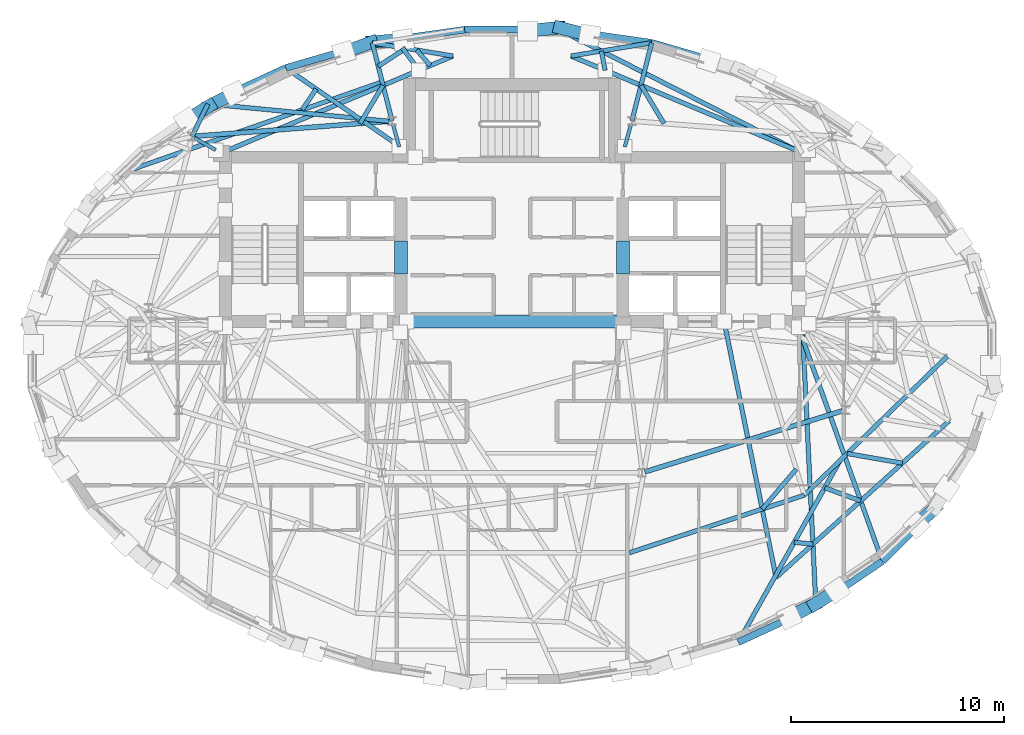
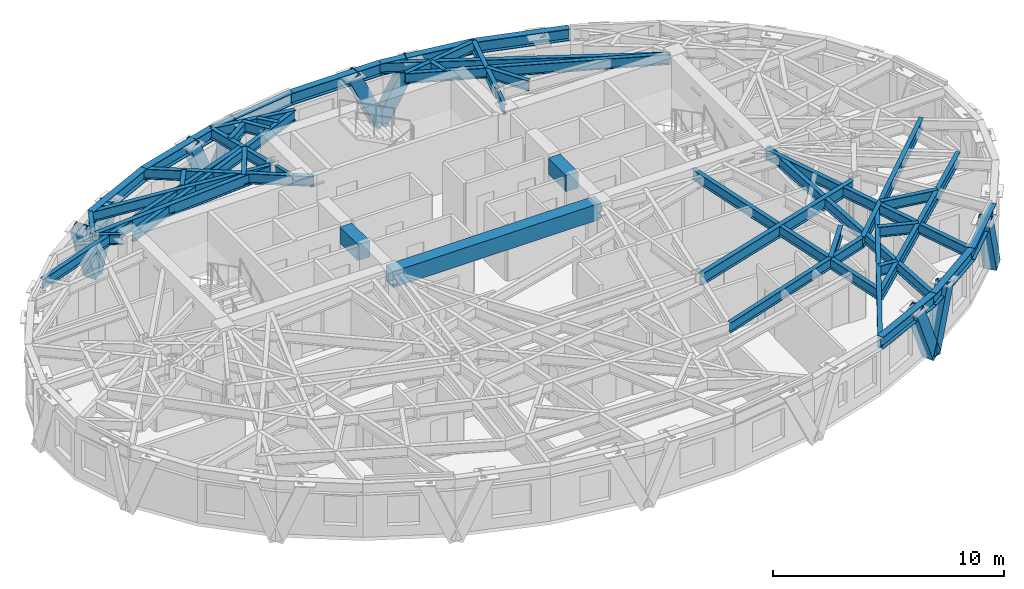
# One storey, part 3 of 14: 46 beams, 9 members.
"""IFC4 building model written with IfcOpenShell, lengths in metres."""

from ifc_helpers import new_model, si_unit, direction, frame, origin, origin_2d, place, context, subcontext, project, spatial, rectangle, hollow_rectangle, i_section, extrude, material, material_profile, profile_set, type_object, element, save


model = new_model("IFC4")

# Units and contexts
model_context = context("Model", 3, precision=1e-05, world=origin(), true_north=direction((0.0, 1.0)))
body_context = subcontext(model_context, "Body", "Model", "MODEL_VIEW")
ifc_project = project(units=[si_unit("LENGTHUNIT", "METRE"), si_unit("AREAUNIT", "SQUARE_METRE"), si_unit("VOLUMEUNIT", "CUBIC_METRE"), si_unit("PLANEANGLEUNIT", "RADIAN"), si_unit("MASSUNIT", "GRAM", prefix="KILO")], contexts=[model_context])

# Site, building, storey
site_placement = place(None, origin())
site = spatial("IfcSite", under=ifc_project, at=site_placement, CompositionType="ELEMENT")
building_placement = place(site_placement, origin())
building = spatial("IfcBuilding", under=site, at=building_placement, Name="Keldmark Tower", CompositionType="ELEMENT")
storey_placement = place(building_placement, frame((0.0, 0.0, 225.75)))
storey = spatial("IfcBuildingStorey", under=building, at=storey_placement, Name="L63", CompositionType="ELEMENT", Elevation=225.75)

# Beams
ifc_material_1 = material(Name="Concrete C50/60", Category="concrete")
ifc_material_profile_1 = material_profile(ifc_material_1, rectangle(XDim=0.60009765625, YDim=0.85009765625, at=origin_2d()), Name="RCB600X850")
ifc_profile_set_1 = profile_set([ifc_material_profile_1], Name="Concrete C50/60")
beam_type_1 = type_object("IfcBeamType", Name="Core Coupling Beam RCB600X850", PredefinedType="USERDEFINED", material=ifc_profile_set_1)
for number, where, z_axis, x_axis, name in (
    (1, (-5.199951171875, 3.800048828125, 2.544921875), (0.0, 1.0, 0.0), (-1.0, 0.0, 0.0), "L63 West Core Coupling Beam"),
    (2, (5.199951171875, 3.800048828125, 2.544921875), (0.0, 1.0, 0.0), (-1.0, 0.0, 0.0), "L63 East Core Coupling Beam"),
):
    element("IfcBeam", number, at=place(storey_placement, frame(where, z_axis=z_axis, x_axis=x_axis)), inside=storey, type_object=beam_type_1, Name=name, ObjectType="COUPLING BEAM", PredefinedType="USERDEFINED", context=body_context, shape_type="SweptSolid", body=[
        extrude(rectangle(XDim=0.60009765625, YDim=0.85009765625, at=origin_2d()), origin(), (0.0, 0.0, 1.0), 1.550048828125),
    ])
beam_1_placement = place(storey_placement, frame((-5.199951171875, 1.574951171875, 2.544921875), z_axis=(1.0, 0.0, 0.0), x_axis=(0.0, 1.0, 0.0)))
element("IfcBeam", 3, at=beam_1_placement, inside=storey, type_object=beam_type_1, Name="L63 Central South Core Coupling Beam", ObjectType="COUPLING BEAM", PredefinedType="USERDEFINED", context=body_context, shape_type="SweptSolid", body=[
    extrude(rectangle(XDim=0.60009765625, YDim=0.85009765625, at=origin_2d()), origin(), (0.0, 0.0, 1.0), 10.39990234375),
])

# Members
ifc_material_2 = material(Name="Steel ASTM A572 Grade 50", Category="steel")
ifc_material_profile_2 = material_profile(ifc_material_2, hollow_rectangle(XDim=0.60009765625, YDim=0.60009765625, WallThickness=0.034912109375, at=origin_2d()), Name="BOX600X600X35")
ifc_profile_set_2 = profile_set([ifc_material_profile_2], Name="Steel ASTM A572 Grade 50")
member_type = type_object("IfcMemberType", Name="Diagrid Zone 4 Brace BOX600X600X35", PredefinedType="BRACE", material=ifc_profile_set_2)
member_1_placement = place(storey_placement, frame((2.21923828125, 15.34326171875, -0.260009765625), z_axis=(0.413469198157, -0.104095113257, 0.904548190851), x_axis=(0.244141875712, 0.96973952406, 0.0)))
element("IfcMember", 4, at=member_1_placement, inside=storey, type_object=member_type, Name="L63 Perimeter Diagrid Brace 04A", PredefinedType="BRACE", context=body_context, shape_type="SweptSolid", body=[
    extrude(hollow_rectangle(XDim=0.60009765625, YDim=0.60009765625, WallThickness=0.034912109375, at=origin_2d()), origin(), (0.0, 0.0, 1.0), 3.438232421875),
])
member_2_placement = place(storey_placement, frame((2.230712890625, 15.341064453125, -0.260009765625), z_axis=(-0.433585186219, -0.04429817692, 0.900023087378), x_axis=(0.101638103695, -0.994821439193, 0.0)))
element("IfcMember", 5, at=member_2_placement, inside=storey, type_object=member_type, Name="L63 Perimeter Diagrid Brace 04B", PredefinedType="BRACE", context=body_context, shape_type="SweptSolid", body=[
    extrude(hollow_rectangle(XDim=0.60009765625, YDim=0.60009765625, WallThickness=0.034912109375, at=origin_2d()), origin(), (0.0, 0.0, 1.0), 3.45556640625),
])
member_3_placement = place(storey_placement, frame((-6.579345703125, 14.662353515625, -0.260009765625), z_axis=(0.430257480523, 0.033565181989, 0.902081969121), x_axis=(-0.07777554379, 0.996970894655, 0.0)))
element("IfcMember", 6, at=member_3_placement, inside=storey, type_object=member_type, Name="L63 Perimeter Diagrid Brace 05A", PredefinedType="BRACE", context=body_context, shape_type="SweptSolid", body=[
    extrude(hollow_rectangle(XDim=0.60009765625, YDim=0.60009765625, WallThickness=0.034912109375, at=origin_2d()), origin(), (0.0, 0.0, 1.0), 3.44775390625),
])
member_4_placement = place(storey_placement, frame((-6.56787109375, 14.664794921875, -0.260009765625), z_axis=(-0.384888644867, -0.141612674767, 0.912034309331), x_axis=(0.345300833635, -0.938492053398, 0.0)))
element("IfcMember", 7, at=member_4_placement, inside=storey, type_object=member_type, Name="L63 Perimeter Diagrid Brace 05B", PredefinedType="BRACE", context=body_context, shape_type="SweptSolid", body=[
    extrude(hollow_rectangle(XDim=0.60009765625, YDim=0.60009765625, WallThickness=0.034912109375, at=origin_2d()), origin(), (0.0, 0.0, 1.0), 3.41015625),
])
member_5_placement = place(storey_placement, frame((-14.169921875, 11.679931640625, -0.260009765625), z_axis=(0.346747356231, 0.176447038416, 0.921212632122), x_axis=(-0.453522001517, 0.89124508085, 0.0)))
element("IfcMember", 8, at=member_5_placement, inside=storey, type_object=member_type, Name="L63 Perimeter Diagrid Brace 06A", PredefinedType="BRACE", context=body_context, shape_type="SweptSolid", body=[
    extrude(hollow_rectangle(XDim=0.60009765625, YDim=0.60009765625, WallThickness=0.034912109375, at=origin_2d()), origin(), (0.0, 0.0, 1.0), 3.376220703125),
])
member_6_placement = place(storey_placement, frame((-14.16015625, 11.6865234375, -0.260009765625), z_axis=(-0.32122601831, -0.199203736694, 0.92581408309), x_axis=(0.527022998019, -0.849851021979, 0.0)))
element("IfcMember", 9, at=member_6_placement, inside=storey, type_object=member_type, Name="L63 Perimeter Diagrid Brace 06B", PredefinedType="BRACE", context=body_context, shape_type="SweptSolid", body=[
    extrude(hollow_rectangle(XDim=0.60009765625, YDim=0.60009765625, WallThickness=0.034912109375, at=origin_2d()), origin(), (0.0, 0.0, 1.0), 3.359375),
])
member_7_placement = place(storey_placement, frame((14.169921875, -11.679931640625, -0.260009765625), z_axis=(-0.346747356231, -0.176447038416, 0.921212632122), x_axis=(0.453522001517, -0.89124508085, 0.0)))
element("IfcMember", 10, at=member_7_placement, inside=storey, type_object=member_type, Name="L63 Perimeter Diagrid Brace 14A", PredefinedType="BRACE", context=body_context, shape_type="SweptSolid", body=[
    extrude(hollow_rectangle(XDim=0.60009765625, YDim=0.60009765625, WallThickness=0.034912109375, at=origin_2d()), origin(), (0.0, 0.0, 1.0), 3.376220703125),
])
member_8_placement = place(storey_placement, frame((14.16015625, -11.6865234375, -0.260009765625), z_axis=(0.32122601831, 0.199203736694, 0.92581408309), x_axis=(-0.527022998019, 0.849851021979, 0.0)))
element("IfcMember", 11, at=member_8_placement, inside=storey, type_object=member_type, Name="L63 Perimeter Diagrid Brace 14B", PredefinedType="BRACE", context=body_context, shape_type="SweptSolid", body=[
    extrude(hollow_rectangle(XDim=0.60009765625, YDim=0.60009765625, WallThickness=0.034912109375, at=origin_2d()), origin(), (0.0, 0.0, 1.0), 3.359375),
])
member_9_placement = place(storey_placement, frame((19.809814453125, -7.15966796875, -0.260009765625), z_axis=(-0.255147124133, -0.245014662801, 0.935343658801), x_axis=(0.692639836471, -0.721283617541, 0.0)))
element("IfcMember", 12, at=member_9_placement, inside=storey, type_object=member_type, Name="L63 Perimeter Diagrid Brace 15A", PredefinedType="BRACE", context=body_context, shape_type="SweptSolid", body=[
    extrude(hollow_rectangle(XDim=0.60009765625, YDim=0.60009765625, WallThickness=0.034912109375, at=origin_2d()), origin(), (0.0, 0.0, 1.0), 3.3251953125),
])

# Beams
ifc_material_3 = material(Name="Steel ASTM A992 Grade 50", Category="steel")
ifc_material_profile_3 = material_profile(ifc_material_3, i_section(OverallWidth=0.22802734375, OverallDepth=0.60302734375, WebThickness=0.010498046875, FlangeThickness=0.014892578125, at=origin_2d()), Name="W24X68")
ifc_profile_set_3 = profile_set([ifc_material_profile_3], Name="Steel ASTM A992 Grade 50")
beam_type_2 = type_object("IfcBeamType", Name="Primary Floor Girder W24X68", PredefinedType="BEAM", material=ifc_profile_set_3)
beam_2_placement = place(storey_placement, frame((-5.75830078125, 10.956298828125, 2.66845703125), z_axis=(-0.997037147832, -0.076921556421, 0.0), x_axis=(0.076921556421, -0.997037147832, 0.0)))
element("IfcBeam", 13, at=beam_2_placement, inside=storey, type_object=beam_type_2, Name="L63 Floor Ring Girder FG-R04", PredefinedType="BEAM", context=body_context, shape_type="SweptSolid", body=[
    extrude(i_section(OverallWidth=0.22802734375, OverallDepth=0.60302734375, WebThickness=0.010498046875, FlangeThickness=0.014892578125, at=origin_2d()), origin(), (0.0, 0.0, 1.0), 9.125),
])
beam_3_placement = place(storey_placement, frame((6.223388671875, -5.471435546875, 2.66845703125), z_axis=(0.955383255089, 0.295368982622, 0.0), x_axis=(-0.295368982622, 0.955383255089, 0.0)))
element("IfcBeam", 14, at=beam_3_placement, inside=storey, type_object=beam_type_2, Name="L63 Floor Ring Girder FG-R10", PredefinedType="BEAM", context=body_context, shape_type="SweptSolid", body=[
    extrude(i_section(OverallWidth=0.22802734375, OverallDepth=0.60302734375, WebThickness=0.010498046875, FlangeThickness=0.014892578125, at=origin_2d()), origin(), (0.0, 0.0, 1.0), 9.69140625),
])
ifc_material_4 = material(Name="Steel ASTM A992 Grade 50", Category="steel")
ifc_material_profile_4 = material_profile(ifc_material_4, i_section(OverallWidth=0.166015625, OverallDepth=0.529052734375, WebThickness=0.009765625, FlangeThickness=0.013671875, at=origin_2d()), Name="W21X50")
ifc_profile_set_4 = profile_set([ifc_material_profile_4], Name="Steel ASTM A992 Grade 50")
beam_type_3 = type_object("IfcBeamType", Name="Radial Tie Girder W21X50", PredefinedType="BEAM", material=ifc_profile_set_4)
for number, where, z_axis, x_axis, name in (
    (15, (5.581298828125, 10.83203125, 2.70556640625), (-0.265936023434, -0.963990680163, 0.0), (0.963990680163, -0.265936023434, 0.0), "L63 Floor Radial Girder FG-C03"),
    (16, (-5.581298828125, 10.83203125, 2.70556640625), (0.265936023434, -0.963990680163, 0.0), (0.963990680163, 0.265936023434, 0.0), "L63 Floor Radial Girder FG-C04"),
):
    element("IfcBeam", number, at=place(storey_placement, frame(where, z_axis=z_axis, x_axis=x_axis)), inside=storey, type_object=beam_type_3, Name=name, PredefinedType="BEAM", context=body_context, shape_type="SweptSolid", body=[
        extrude(i_section(OverallWidth=0.166015625, OverallDepth=0.529052734375, WebThickness=0.009765625, FlangeThickness=0.013671875, at=origin_2d()), origin(), (0.0, 0.0, 1.0), 1.113525390625),
    ])
beam_4_placement = place(storey_placement, frame((-14.8740234375, 10.174560546875, 2.70556640625), z_axis=(0.869238046195, -0.494393789451, 0.0), x_axis=(0.494393789451, 0.869238046195, 0.0)))
element("IfcBeam", 17, at=beam_4_placement, inside=storey, type_object=beam_type_3, Name="L63 Floor Radial Girder FG-C05", PredefinedType="BEAM", context=body_context, shape_type="SweptSolid", body=[
    extrude(i_section(OverallWidth=0.166015625, OverallDepth=0.529052734375, WebThickness=0.009765625, FlangeThickness=0.013671875, at=origin_2d()), origin(), (0.0, 0.0, 1.0), 1.145751953125),
])
ifc_material_5 = material(Name="Steel ASTM A992 Grade 50", Category="steel")
ifc_material_profile_5 = material_profile(ifc_material_5, i_section(OverallWidth=0.2099609375, OverallDepth=0.537109375, WebThickness=0.010986328125, FlangeThickness=0.017333984375, at=origin_2d()), Name="W21X68")
ifc_profile_set_5 = profile_set([ifc_material_profile_5], Name="Steel ASTM A992 Grade 50")
beam_type_4 = type_object("IfcBeamType", Name="Radial Tie Girder W21X68", PredefinedType="BEAM", material=ifc_profile_set_5)
beam_5_placement = place(storey_placement, frame((5.50341796875, -9.259521484375, 2.701416015625), z_axis=(0.949865412002, 0.312659078043, 0.0), x_axis=(-0.312659078043, 0.949865412002, 0.0)))
element("IfcBeam", 18, at=beam_5_placement, inside=storey, type_object=beam_type_4, Name="L63 Perimeter Collector Ring Beam CRG1-M10", PredefinedType="BEAM", context=body_context, shape_type="SweptSolid", body=[
    extrude(i_section(OverallWidth=0.2099609375, OverallDepth=0.537109375, WebThickness=0.010986328125, FlangeThickness=0.017333984375, at=origin_2d()), origin(), (0.0, 0.0, 1.0), 8.625244140625),
])
beam_6_placement = place(storey_placement, frame((13.6962890625, -6.562744140625, 2.701416015625), z_axis=(0.717074138829, 0.696996900584, 0.0), x_axis=(-0.696996900584, 0.717074138829, 0.0)))
element("IfcBeam", 19, at=beam_6_placement, inside=storey, type_object=beam_type_4, Name="L63 Perimeter Collector Ring Beam CRG1-M11", PredefinedType="BEAM", context=body_context, shape_type="SweptSolid", body=[
    extrude(i_section(OverallWidth=0.2099609375, OverallDepth=0.537109375, WebThickness=0.010986328125, FlangeThickness=0.017333984375, at=origin_2d()), origin(), (0.0, 0.0, 1.0), 9.32666015625),
])
beam_7_placement = place(storey_placement, frame((13.32080078125, -5.342041015625, 2.701416015625), z_axis=(-0.649736769061, -0.760159279974, 0.0), x_axis=(0.760159279974, -0.649736769061, 0.0)))
element("IfcBeam", 20, at=beam_7_placement, inside=storey, type_object=beam_type_4, Name="L63 Framing Pin Header PH-011", PredefinedType="BEAM", context=body_context, shape_type="SweptSolid", body=[
    extrude(i_section(OverallWidth=0.2099609375, OverallDepth=0.537109375, WebThickness=0.010986328125, FlangeThickness=0.017333984375, at=origin_2d()), origin(), (0.0, 0.0, 1.0), 2.460693359375),
])
beam_8_placement = place(storey_placement, frame((9.939208984375, 1.574951171875, 2.701416015625), z_axis=(0.198812078961, -0.980037630532, 0.0), x_axis=(0.980037630532, 0.198812078961, 0.0)))
element("IfcBeam", 21, at=beam_8_placement, inside=storey, type_object=beam_type_4, Name="L63 Sub-Ring Step Girder STP2-M11", PredefinedType="BEAM", context=body_context, shape_type="SweptSolid", body=[
    extrude(i_section(OverallWidth=0.2099609375, OverallDepth=0.537109375, WebThickness=0.010986328125, FlangeThickness=0.017333984375, at=origin_2d()), origin(), (0.0, 0.0, 1.0), 12.239501953125),
])
beam_9_placement = place(storey_placement, frame((12.37255859375, -10.420166015625, 2.701416015625), z_axis=(0.741378121737, 0.671087535729, 0.0), x_axis=(-0.671087535729, 0.741378121737, 0.0)))
element("IfcBeam", 22, at=beam_9_placement, inside=storey, type_object=beam_type_4, Name="L63 Perimeter Collector Ring Beam CRG2-M11", PredefinedType="BEAM", context=body_context, shape_type="SweptSolid", body=[
    extrude(i_section(OverallWidth=0.2099609375, OverallDepth=0.537109375, WebThickness=0.010986328125, FlangeThickness=0.017333984375, at=origin_2d()), origin(), (0.0, 0.0, 1.0), 10.93408203125),
])
for number, where, z_axis, x_axis, name in (
    (23, (5.61865234375, 10.967041015625, 2.701416015625), (0.245102326191, 0.969497214898, 0.0), (-0.969497214898, 0.245102326191, 0.0), "L63 Perimeter Column Bracket RT-07"),
    (24, (-5.61865234375, 10.967041015625, 2.701416015625), (-0.245102326191, 0.969497214898, 0.0), (-0.969497214898, -0.245102326191, 0.0), "L63 Perimeter Column Bracket RT-10"),
):
    element("IfcBeam", number, at=place(storey_placement, frame(where, z_axis=z_axis, x_axis=x_axis)), inside=storey, type_object=beam_type_4, Name=name, PredefinedType="BEAM", context=body_context, shape_type="SweptSolid", body=[
        extrude(i_section(OverallWidth=0.2099609375, OverallDepth=0.537109375, WebThickness=0.010986328125, FlangeThickness=0.017333984375, at=origin_2d()), origin(), (0.0, 0.0, 1.0), 3.781005859375),
    ])
beam_10_placement = place(storey_placement, frame((-14.995849609375, 10.24365234375, 2.701416015625), z_axis=(0.444339950507, 0.895858252395, 0.0), x_axis=(-0.895858252395, 0.444339950507, 0.0)))
element("IfcBeam", 25, at=beam_10_placement, inside=storey, type_object=beam_type_4, Name="L63 Perimeter Column Bracket RT-12", PredefinedType="BEAM", context=body_context, shape_type="SweptSolid", body=[
    extrude(i_section(OverallWidth=0.2099609375, OverallDepth=0.537109375, WebThickness=0.010986328125, FlangeThickness=0.017333984375, at=origin_2d()), origin(), (0.0, 0.0, 1.0), 1.700439453125),
])
beam_11_placement = place(storey_placement, frame((-6.08203125, 12.800048828125, 2.701416015625), z_axis=(-0.943920364317, -0.330173205798, 0.0), x_axis=(0.330173205798, -0.943920364317, 0.0)))
element("IfcBeam", 26, at=beam_11_placement, inside=storey, type_object=beam_type_4, Name="L63 Intermediate Radial Step Girder RT-14M", PredefinedType="BEAM", context=body_context, shape_type="SweptSolid", body=[
    extrude(i_section(OverallWidth=0.2099609375, OverallDepth=0.537109375, WebThickness=0.010986328125, FlangeThickness=0.017333984375, at=origin_2d()), origin(), (0.0, 0.0, 1.0), 13.255126953125),
])
beam_12_placement = place(storey_placement, frame((15.368408203125, -4.9375, 2.701416015625), z_axis=(-0.488461647442, -0.872585364866, 0.0), x_axis=(0.872585364866, -0.488461647442, 0.0)))
element("IfcBeam", 27, at=beam_12_placement, inside=storey, type_object=beam_type_4, Name="L63 Perimeter Radial Tie Girder RT-27", PredefinedType="BEAM", context=body_context, shape_type="SweptSolid", body=[
    extrude(i_section(OverallWidth=0.2099609375, OverallDepth=0.537109375, WebThickness=0.010986328125, FlangeThickness=0.017333984375, at=origin_2d()), origin(), (0.0, 0.0, 1.0), 9.75732421875),
])
beam_13_placement = place(storey_placement, frame((13.2236328125, -8.768798828125, 2.701416015625), z_axis=(0.994882088655, -0.101042712129, 0.0), x_axis=(0.101042712129, 0.994882088655, 0.0)))
element("IfcBeam", 28, at=beam_13_placement, inside=storey, type_object=beam_type_4, Name="L63 Framing Pin Header PH-033", PredefinedType="BEAM", context=body_context, shape_type="SweptSolid", body=[
    extrude(i_section(OverallWidth=0.2099609375, OverallDepth=0.537109375, WebThickness=0.010986328125, FlangeThickness=0.017333984375, at=origin_2d()), origin(), (0.0, 0.0, 1.0), 0.87939453125),
])
beam_14_placement = place(storey_placement, frame((13.60009765625, 1.39990234375, 2.701416015625), z_axis=(0.048559423244, -0.998820295356, 0.0), x_axis=(0.998820295356, 0.048559423244, 0.0)))
element("IfcBeam", 29, at=beam_14_placement, inside=storey, type_object=beam_type_4, Name="L63 Perimeter Radial Tie Girder RT-28", PredefinedType="BEAM", context=body_context, shape_type="SweptSolid", body=[
    extrude(i_section(OverallWidth=0.2099609375, OverallDepth=0.537109375, WebThickness=0.010986328125, FlangeThickness=0.017333984375, at=origin_2d()), origin(), (0.0, 0.0, 1.0), 13.1826171875),
])
beam_15_placement = place(storey_placement, frame((14.6533203125, -6.214599609375, 2.701416015625), z_axis=(0.939319741022, -0.34304288963, 0.0), x_axis=(0.34304288963, 0.939319741022, 0.0)))
element("IfcBeam", 30, at=beam_15_placement, inside=storey, type_object=beam_type_4, Name="L63 Framing Pin Header PH-034", PredefinedType="BEAM", context=body_context, shape_type="SweptSolid", body=[
    extrude(i_section(OverallWidth=0.2099609375, OverallDepth=0.537109375, WebThickness=0.010986328125, FlangeThickness=0.017333984375, at=origin_2d()), origin(), (0.0, 0.0, 1.0), 1.794189453125),
])
beam_16_placement = place(storey_placement, frame((13.425048828125, 1.300048828125, 2.701416015625), z_axis=(0.337367308761, -0.941373092339, 0.0), x_axis=(0.941373092339, 0.337367308761, 0.0)))
element("IfcBeam", 31, at=beam_16_placement, inside=storey, type_object=beam_type_4, Name="L63 Perimeter Radial Tie Girder RT-29", PredefinedType="BEAM", context=body_context, shape_type="SweptSolid", body=[
    extrude(i_section(OverallWidth=0.2099609375, OverallDepth=0.537109375, WebThickness=0.010986328125, FlangeThickness=0.017333984375, at=origin_2d()), origin(), (0.0, 0.0, 1.0), 11.639404296875),
])
beam_17_placement = place(storey_placement, frame((15.70263671875, -4.612548828125, 2.701416015625), z_axis=(0.985227436216, -0.171250982264, 0.0), x_axis=(0.171250982264, 0.985227436216, 0.0)))
element("IfcBeam", 32, at=beam_17_placement, inside=storey, type_object=beam_type_4, Name="L63 Framing Pin Header PH-035", PredefinedType="BEAM", context=body_context, shape_type="SweptSolid", body=[
    extrude(i_section(OverallWidth=0.2099609375, OverallDepth=0.537109375, WebThickness=0.010986328125, FlangeThickness=0.017333984375, at=origin_2d()), origin(), (0.0, 0.0, 1.0), 2.62744140625),
])
beam_18_placement = place(storey_placement, frame((7.122802734375, 10.85107421875, 2.701416015625), z_axis=(-0.517017624138, 0.855974752157, 0.0), x_axis=(-0.855974752157, -0.517017624138, 0.0)))
element("IfcBeam", 33, at=beam_18_placement, inside=storey, type_object=beam_type_4, Name="L63 Framing Pin Header PH-037", PredefinedType="BEAM", context=body_context, shape_type="SweptSolid", body=[
    extrude(i_section(OverallWidth=0.2099609375, OverallDepth=0.537109375, WebThickness=0.010986328125, FlangeThickness=0.017333984375, at=origin_2d()), origin(), (0.0, 0.0, 1.0), 2.091064453125),
])
beam_19_placement = place(storey_placement, frame((13.425048828125, 9.550048828125, 2.701416015625), z_axis=(-0.922439413405, 0.386141850356, 0.0), x_axis=(-0.386141850356, -0.922439413405, 0.0)))
element("IfcBeam", 34, at=beam_19_placement, inside=storey, type_object=beam_type_4, Name="L63 Crown Step Radial Girder RT-08RN2", PredefinedType="BEAM", context=body_context, shape_type="SweptSolid", body=[
    extrude(i_section(OverallWidth=0.2099609375, OverallDepth=0.537109375, WebThickness=0.010986328125, FlangeThickness=0.017333984375, at=origin_2d()), origin(), (0.0, 0.0, 1.0), 11.55712890625),
])
beam_20_placement = place(storey_placement, frame((2.764404296875, 14.0126953125, 2.701416015625), z_axis=(0.986815989338, 0.161846233158, 0.0), x_axis=(-0.161846233158, 0.986815989338, 0.0)))
element("IfcBeam", 35, at=beam_20_placement, inside=storey, type_object=beam_type_4, Name="L63 Crown Step Collector Chord RT-08RP2", PredefinedType="BEAM", context=body_context, shape_type="SweptSolid", body=[
    extrude(i_section(OverallWidth=0.2099609375, OverallDepth=0.537109375, WebThickness=0.010986328125, FlangeThickness=0.017333984375, at=origin_2d()), origin(), (0.0, 0.0, 1.0), 3.83154296875),
])
beam_21_placement = place(storey_placement, frame((4.363525390625, 13.343505859375, 2.701416015625), z_axis=(-0.193512006047, 0.981097907202, 0.0), x_axis=(-0.981097907202, -0.193512006047, 0.0)))
element("IfcBeam", 36, at=beam_21_placement, inside=storey, type_object=beam_type_4, Name="L63 Framing Pin Header PH-038", PredefinedType="BEAM", context=body_context, shape_type="SweptSolid", body=[
    extrude(i_section(OverallWidth=0.2099609375, OverallDepth=0.537109375, WebThickness=0.010986328125, FlangeThickness=0.017333984375, at=origin_2d()), origin(), (0.0, 0.0, 1.0), 0.919677734375),
])
beam_22_placement = place(storey_placement, frame((13.425048828125, 9.550048828125, 2.701416015625), z_axis=(-0.891464617081, 0.453090318251, 0.0), x_axis=(-0.453090318251, -0.891464617081, 0.0)))
element("IfcBeam", 37, at=beam_22_placement, inside=storey, type_object=beam_type_4, Name="L63 Perimeter Radial Tie Girder RT-08R", PredefinedType="BEAM", context=body_context, shape_type="SweptSolid", body=[
    extrude(i_section(OverallWidth=0.2099609375, OverallDepth=0.537109375, WebThickness=0.010986328125, FlangeThickness=0.017333984375, at=origin_2d()), origin(), (0.0, 0.0, 1.0), 12.5751953125),
])
beam_23_placement = place(storey_placement, frame((-7.122802734375, 10.85107421875, 2.701416015625), z_axis=(0.517017624138, 0.855974752157, 0.0), x_axis=(-0.855974752157, 0.517017624138, 0.0)))
element("IfcBeam", 38, at=beam_23_placement, inside=storey, type_object=beam_type_4, Name="L63 Framing Pin Header PH-039", PredefinedType="BEAM", context=body_context, shape_type="SweptSolid", body=[
    extrude(i_section(OverallWidth=0.2099609375, OverallDepth=0.537109375, WebThickness=0.010986328125, FlangeThickness=0.017333984375, at=origin_2d()), origin(), (0.0, 0.0, 1.0), 2.091064453125),
])
beam_24_placement = place(storey_placement, frame((-13.425048828125, 9.550048828125, 2.701416015625), z_axis=(0.922439413405, 0.386141850356, 0.0), x_axis=(-0.386141850356, 0.922439413405, 0.0)))
element("IfcBeam", 39, at=beam_24_placement, inside=storey, type_object=beam_type_4, Name="L63 Crown Step Radial Girder RT-09RN1", PredefinedType="BEAM", context=body_context, shape_type="SweptSolid", body=[
    extrude(i_section(OverallWidth=0.2099609375, OverallDepth=0.537109375, WebThickness=0.010986328125, FlangeThickness=0.017333984375, at=origin_2d()), origin(), (0.0, 0.0, 1.0), 11.55712890625),
])
beam_25_placement = place(storey_placement, frame((-2.764404296875, 14.0126953125, 2.701416015625), z_axis=(-0.986815989338, 0.161846233158, 0.0), x_axis=(-0.161846233158, -0.986815989338, 0.0)))
element("IfcBeam", 40, at=beam_25_placement, inside=storey, type_object=beam_type_4, Name="L63 Crown Step Collector Chord RT-09RP1", PredefinedType="BEAM", context=body_context, shape_type="SweptSolid", body=[
    extrude(i_section(OverallWidth=0.2099609375, OverallDepth=0.537109375, WebThickness=0.010986328125, FlangeThickness=0.017333984375, at=origin_2d()), origin(), (0.0, 0.0, 1.0), 3.83154296875),
])
beam_26_placement = place(storey_placement, frame((-4.363525390625, 13.343505859375, 2.701416015625), z_axis=(-0.590030598191, 0.807380884836, 0.0), x_axis=(-0.807380884836, -0.590030598191, 0.0)))
element("IfcBeam", 41, at=beam_26_placement, inside=storey, type_object=beam_type_4, Name="L63 Framing Pin Header PH-040", PredefinedType="BEAM", context=body_context, shape_type="SweptSolid", body=[
    extrude(i_section(OverallWidth=0.2099609375, OverallDepth=0.537109375, WebThickness=0.010986328125, FlangeThickness=0.017333984375, at=origin_2d()), origin(), (0.0, 0.0, 1.0), 1.310791015625),
])
beam_27_placement = place(storey_placement, frame((-6.267333984375, 13.533203125, 2.701416015625), z_axis=(0.837966113518, 0.545722266904, 0.0), x_axis=(-0.545722266904, 0.837966113518, 0.0)))
element("IfcBeam", 42, at=beam_27_placement, inside=storey, type_object=beam_type_4, Name="L63 Framing Pin Header PH-041", PredefinedType="BEAM", context=body_context, shape_type="SweptSolid", body=[
    extrude(i_section(OverallWidth=0.2099609375, OverallDepth=0.537109375, WebThickness=0.010986328125, FlangeThickness=0.017333984375, at=origin_2d()), origin(), (0.0, 0.0, 1.0), 1.54296875),
])
beam_28_placement = place(storey_placement, frame((-4.4658203125, 14.291748046875, 2.701416015625), z_axis=(0.661044108589, -0.75034704404, 0.0), x_axis=(0.75034704404, 0.661044108589, 0.0)))
element("IfcBeam", 43, at=beam_28_placement, inside=storey, type_object=beam_type_4, Name="L63 Framing Pin Header PH-042", PredefinedType="BEAM", context=body_context, shape_type="SweptSolid", body=[
    extrude(i_section(OverallWidth=0.2099609375, OverallDepth=0.537109375, WebThickness=0.010986328125, FlangeThickness=0.017333984375, at=origin_2d()), origin(), (0.0, 0.0, 1.0), 0.965087890625),
])
beam_29_placement = place(storey_placement, frame((-5.75830078125, 10.956298828125, 2.701416015625), z_axis=(-0.995462316123, 0.095156592938, 0.0), x_axis=(-0.095156592938, -0.995462316123, 0.0)))
element("IfcBeam", 44, at=beam_29_placement, inside=storey, type_object=beam_type_4, Name="L63 Straddling Support Chord RT-11RB", PredefinedType="BEAM", context=body_context, shape_type="SweptSolid", body=[
    extrude(i_section(OverallWidth=0.2099609375, OverallDepth=0.537109375, WebThickness=0.010986328125, FlangeThickness=0.017333984375, at=origin_2d()), origin(), (0.0, 0.0, 1.0), 8.5205078125),
])
beam_30_placement = place(storey_placement, frame((-9.83544921875, 11.487060546875, 2.701416015625), z_axis=(0.560488145379, 0.828162447162, 0.0), x_axis=(-0.828162447162, 0.560488145379, 0.0)))
element("IfcBeam", 45, at=beam_30_placement, inside=storey, type_object=beam_type_4, Name="L63 Framing Pin Header PH-043", PredefinedType="BEAM", context=body_context, shape_type="SweptSolid", body=[
    extrude(i_section(OverallWidth=0.2099609375, OverallDepth=0.537109375, WebThickness=0.010986328125, FlangeThickness=0.017333984375, at=origin_2d()), origin(), (0.0, 0.0, 1.0), 1.184814453125),
])
beam_31_placement = place(storey_placement, frame((-4.52490234375, 9.27490234375, 2.701416015625), z_axis=(-0.824133682254, 0.566395333468, 0.0), x_axis=(-0.566395333468, -0.824133682254, 0.0)))
element("IfcBeam", 46, at=beam_31_placement, inside=storey, type_object=beam_type_4, Name="L63 Perimeter Radial Tie Girder RT-11R", PredefinedType="BEAM", context=body_context, shape_type="SweptSolid", body=[
    extrude(i_section(OverallWidth=0.2099609375, OverallDepth=0.537109375, WebThickness=0.010986328125, FlangeThickness=0.017333984375, at=origin_2d()), origin(), (0.0, 0.0, 1.0), 7.374267578125),
])
ifc_material_6 = material(Name="Steel ASTM A992 Grade 50", Category="steel")
ifc_material_profile_6 = material_profile(ifc_material_6, i_section(OverallWidth=0.326904296875, OverallDepth=0.6220703125, WebThickness=0.015380859375, FlangeThickness=0.0244140625, at=origin_2d()), Name="W24X131")
ifc_profile_set_6 = profile_set([ifc_material_profile_6], Name="Steel ASTM A992 Grade 50")
beam_type_5 = type_object("IfcBeamType", Name="Spandrel Ring Beam W24X131", PredefinedType="SPANDREL", material=ifc_profile_set_6)
beam_32_placement = place(storey_placement, frame((10.602294921875, 13.45166015625, 2.658935546875), z_axis=(-0.960133847787, 0.279540684576, 0.0), x_axis=(-0.279540684576, -0.960133847787, 0.0)))
element("IfcBeam", 47, at=beam_32_placement, inside=storey, type_object=beam_type_5, Name="L63 Perimeter Spandrel Ring Beam SRB-06", PredefinedType="SPANDREL", context=body_context, shape_type="SweptSolid", body=[
    extrude(i_section(OverallWidth=0.326904296875, OverallDepth=0.6220703125, WebThickness=0.015380859375, FlangeThickness=0.0244140625, at=origin_2d()), origin(), (0.0, 0.0, 1.0), 4.225341796875),
])
beam_33_placement = place(storey_placement, frame((6.54541015625, 14.6328125, 2.658935546875), z_axis=(-0.990067470806, 0.140593041263, 0.0), x_axis=(-0.140593041263, -0.990067470806, 0.0)))
element("IfcBeam", 48, at=beam_33_placement, inside=storey, type_object=beam_type_5, Name="L63 Perimeter Spandrel Ring Beam SRB-07", PredefinedType="SPANDREL", context=body_context, shape_type="SweptSolid", body=[
    extrude(i_section(OverallWidth=0.326904296875, OverallDepth=0.6220703125, WebThickness=0.015380859375, FlangeThickness=0.0244140625, at=origin_2d()), origin(), (0.0, 0.0, 1.0), 4.374267578125),
])
beam_34_placement = place(storey_placement, frame((2.214599609375, 15.247802734375, 2.658935546875), z_axis=(-1.0, 0.0, 0.0), x_axis=(0.0, -1.0, 0.0)))
element("IfcBeam", 49, at=beam_34_placement, inside=storey, type_object=beam_type_5, Name="L63 Perimeter Spandrel Ring Beam SRB-08", PredefinedType="SPANDREL", context=body_context, shape_type="SweptSolid", body=[
    extrude(i_section(OverallWidth=0.326904296875, OverallDepth=0.6220703125, WebThickness=0.015380859375, FlangeThickness=0.0244140625, at=origin_2d()), origin(), (0.0, 0.0, 1.0), 4.42919921875),
])
beam_35_placement = place(storey_placement, frame((-2.214599609375, 15.247802734375, 2.658935546875), z_axis=(-0.990067470806, -0.140593041263, 0.0), x_axis=(0.140593041263, -0.990067470806, 0.0)))
element("IfcBeam", 50, at=beam_35_placement, inside=storey, type_object=beam_type_5, Name="L63 Perimeter Spandrel Ring Beam SRB-09", PredefinedType="SPANDREL", context=body_context, shape_type="SweptSolid", body=[
    extrude(i_section(OverallWidth=0.326904296875, OverallDepth=0.6220703125, WebThickness=0.015380859375, FlangeThickness=0.0244140625, at=origin_2d()), origin(), (0.0, 0.0, 1.0), 4.374267578125),
])
beam_36_placement = place(storey_placement, frame((-6.54541015625, 14.6328125, 2.658935546875), z_axis=(-0.960133847787, -0.279540684576, 0.0), x_axis=(0.279540684576, -0.960133847787, 0.0)))
element("IfcBeam", 51, at=beam_36_placement, inside=storey, type_object=beam_type_5, Name="L63 Perimeter Spandrel Ring Beam SRB-10", PredefinedType="SPANDREL", context=body_context, shape_type="SweptSolid", body=[
    extrude(i_section(OverallWidth=0.326904296875, OverallDepth=0.6220703125, WebThickness=0.015380859375, FlangeThickness=0.0244140625, at=origin_2d()), origin(), (0.0, 0.0, 1.0), 4.225341796875),
])
for number, where, z_axis, x_axis, name in (
    (52, (-10.602294921875, 13.45166015625, 2.658935546875), (-0.907434658488, -0.420193218144, 0.0), (0.420193218144, -0.907434658488, 0.0), "L63 Perimeter Spandrel Ring Beam SRB-11"),
    (53, (10.602294921875, -13.45166015625, 2.658935546875), (0.907434658488, 0.420193218144, 0.0), (-0.420193218144, 0.907434658488, 0.0), "L63 Perimeter Spandrel Ring Beam SRB-27"),
):
    element("IfcBeam", number, at=place(storey_placement, frame(where, z_axis=z_axis, x_axis=x_axis)), inside=storey, type_object=beam_type_5, Name=name, PredefinedType="SPANDREL", context=body_context, shape_type="SweptSolid", body=[
        extrude(i_section(OverallWidth=0.326904296875, OverallDepth=0.6220703125, WebThickness=0.015380859375, FlangeThickness=0.0244140625, at=origin_2d()), origin(), (0.0, 0.0, 1.0), 4.009033203125),
    ])
beam_37_placement = place(storey_placement, frame((14.240234375, -11.76708984375, 2.658935546875), z_axis=(0.827638454008, 0.561261605178, 0.0), x_axis=(-0.561261605178, 0.827638454008, 0.0)))
element("IfcBeam", 54, at=beam_37_placement, inside=storey, type_object=beam_type_5, Name="L63 Perimeter Spandrel Ring Beam SRB-28", PredefinedType="SPANDREL", context=body_context, shape_type="SweptSolid", body=[
    extrude(i_section(OverallWidth=0.326904296875, OverallDepth=0.6220703125, WebThickness=0.015380859375, FlangeThickness=0.0244140625, at=origin_2d()), origin(), (0.0, 0.0, 1.0), 3.759521484375),
])
beam_38_placement = place(storey_placement, frame((17.351806640625, -9.656982421875, 2.658935546875), z_axis=(0.709543498194, 0.704661638072, 0.0), x_axis=(-0.704661638072, 0.709543498194, 0.0)))
element("IfcBeam", 55, at=beam_38_placement, inside=storey, type_object=beam_type_5, Name="L63 Perimeter Spandrel Ring Beam SRB-29", PredefinedType="SPANDREL", context=body_context, shape_type="SweptSolid", body=[
    extrude(i_section(OverallWidth=0.326904296875, OverallDepth=0.6220703125, WebThickness=0.015380859375, FlangeThickness=0.0244140625, at=origin_2d()), origin(), (0.0, 0.0, 1.0), 3.500732421875),
])

save(model, "model.ifc")
